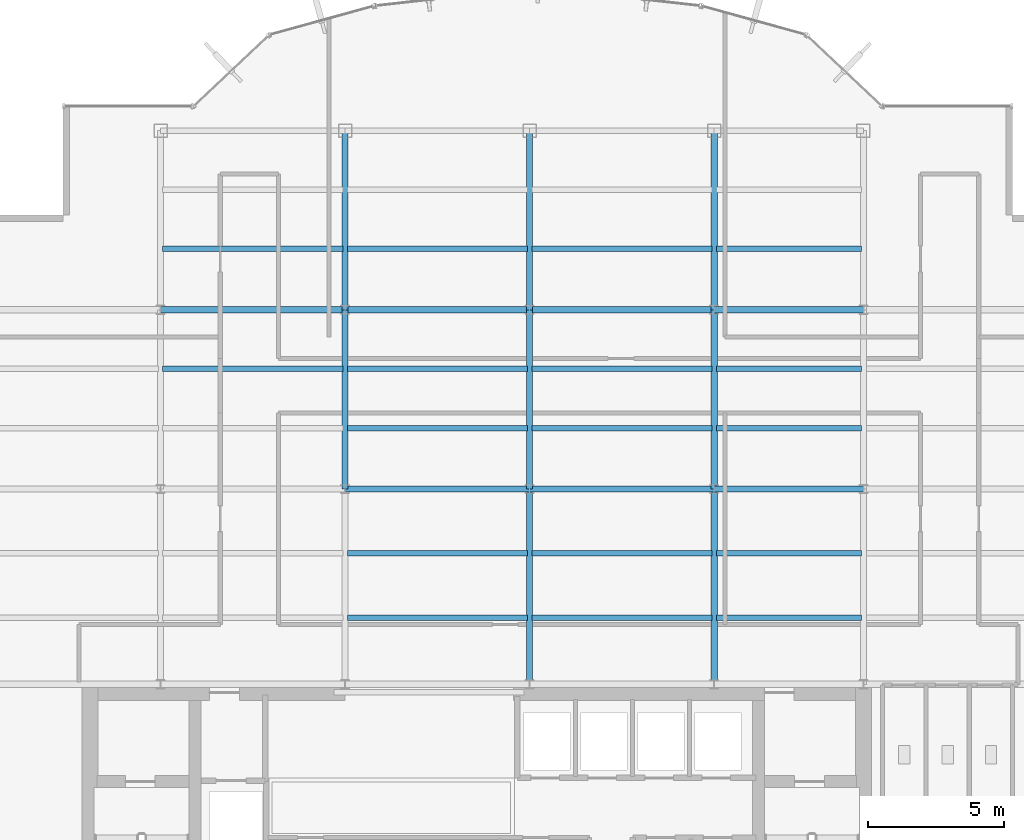
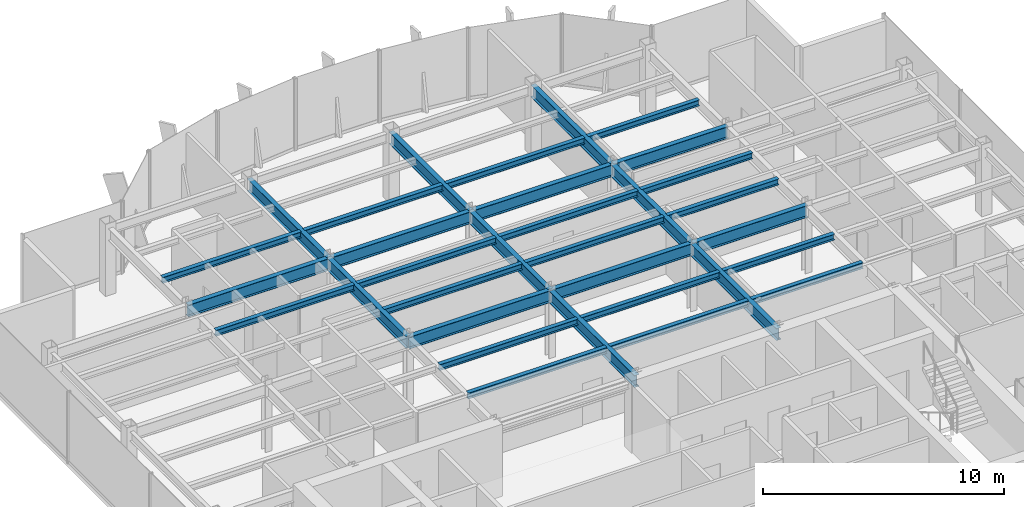
# One storey, part 8 of 22: 32 beams.
"""IFC4 building model written with IfcOpenShell, lengths in metres."""

from ifc_helpers import new_model, si_unit, derived_unit, direction, frame, origin, origin_2d, place, context, subcontext, project, spatial, i_section, extrude, source, transform, mapped, material, material_profile, profile_set, type_object, element, save


model = new_model("IFC4")

# Units and contexts
model_context = context("Model", 3, precision=1e-05, world=origin(), true_north=direction((0.0, 1.0)))
body_context = subcontext(model_context, "Body", "Model", "MODEL_VIEW")
ifc_project = project(units=[si_unit("LENGTHUNIT", "METRE"), si_unit("AREAUNIT", "SQUARE_METRE"), si_unit("VOLUMEUNIT", "CUBIC_METRE"), si_unit("PLANEANGLEUNIT", "RADIAN"), si_unit("MASSUNIT", "GRAM", prefix="KILO"), derived_unit("THERMALTRANSMITTANCEUNIT", [(si_unit("POWERUNIT", "WATT"), 1), (si_unit("LENGTHUNIT", "METRE"), -2), (si_unit("THERMODYNAMICTEMPERATUREUNIT", "KELVIN"), -1)])], contexts=[model_context])

# Site, building, storey
site_placement = place(None, origin())
site = spatial("IfcSite", under=ifc_project, at=site_placement, CompositionType="ELEMENT")
building_placement = place(site_placement, origin())
building = spatial("IfcBuilding", under=site, at=building_placement, Name="Skarnbrae Concourse Arena and Tower", CompositionType="ELEMENT")
storey_placement = place(building_placement, frame((0.0, 0.0, 244.199951171875)))
storey = spatial("IfcBuildingStorey", under=building, at=storey_placement, Name="L63", CompositionType="ELEMENT", Elevation=244.199951171875)

# Beams
ifc_material = material(Name="Steel CSA G40.21 350W", Category="steel")
ifc_material_profile_1 = material_profile(ifc_material, i_section(OverallWidth=0.22802734375, OverallDepth=0.60791015625, WebThickness=0.01123046875, FlangeThickness=0.017333984375, at=origin_2d()), Name="W610X113")
ifc_profile_set_1 = profile_set([ifc_material_profile_1], Name="Steel CSA G40.21 350W")
beam_type_1 = type_object("IfcBeamType", Name="BM-GIRD-W610X113", PredefinedType="BEAM", material=ifc_profile_set_1)
shared_shape_1 = source(origin(), body_context, "Body", "SweptSolid", [
    extrude(i_section(OverallWidth=0.22802734375, OverallDepth=0.60791015625, WebThickness=0.01123046875, FlangeThickness=0.017333984375, at=origin_2d()), origin(), (0.0, 0.0, 1.0), 6.60009765625),
])
for number, where, z_axis, x_axis, name in (
    (1, (14.39990234375, 21.199951171875, 3.095947265625), (0.0, 1.0, 0.0), (-1.0, 0.0, 0.0), "L63 Primary N-S girder X14.4-2"),
    (2, (21.199951171875, 21.199951171875, 3.095947265625), (0.0, 1.0, 0.0), (-1.0, 0.0, 0.0), "L63 Primary N-S girder X21.2-2"),
    (3, (28.0, 21.199951171875, 3.095947265625), (0.0, 1.0, 0.0), (-1.0, 0.0, 0.0), "L63 Primary N-S girder X28.0-2"),
):
    element("IfcBeam", number, at=place(storey_placement, frame(where, z_axis=z_axis, x_axis=x_axis)), inside=storey, type_object=beam_type_1, Name=name, PredefinedType="BEAM", context=body_context, shape_type="MappedRepresentation", body=[
        mapped(shared_shape_1, transform((0.0, 0.0, 0.0))),
    ])
shared_shape_2 = source(origin(), body_context, "Body", "SweptSolid", [
    extrude(i_section(OverallWidth=0.22802734375, OverallDepth=0.60791015625, WebThickness=0.01123046875, FlangeThickness=0.017333984375, at=origin_2d()), origin(), (0.0, 0.0, 1.0), 6.7998046875),
])
beam_placement = place(storey_placement, frame((7.60009765625, 27.800048828125, 3.095947265625), z_axis=(1.0, 0.0, 0.0), x_axis=(0.0, 1.0, 0.0)))
element("IfcBeam", 4, at=beam_placement, inside=storey, type_object=beam_type_1, Name="L63 Primary E-W girder Y27.8-2", PredefinedType="BEAM", context=body_context, shape_type="MappedRepresentation", body=[
    mapped(shared_shape_2, transform((0.0, 0.0, 0.0))),
])
shared_shape_3 = source(origin(), body_context, "Body", "SweptSolid", [
    extrude(i_section(OverallWidth=0.22802734375, OverallDepth=0.60791015625, WebThickness=0.01123046875, FlangeThickness=0.017333984375, at=origin_2d()), origin(), (0.0, 0.0, 1.0), 6.800048828125),
])
for number, where, z_axis, x_axis, name in (
    (5, (14.39990234375, 21.199951171875, 3.095947265625), (1.0, 0.0, 0.0), (0.0, 1.0, 0.0), "L63 Primary E-W girder Y21.2-3"),
    (6, (21.199951171875, 21.199951171875, 3.095947265625), (1.0, 0.0, 0.0), (0.0, 1.0, 0.0), "L63 Primary E-W girder Y21.2-4"),
    (7, (14.39990234375, 27.800048828125, 3.095947265625), (1.0, 0.0, 0.0), (0.0, 1.0, 0.0), "L63 Primary E-W girder Y27.8-3"),
    (8, (21.199951171875, 27.800048828125, 3.095947265625), (1.0, 0.0, 0.0), (0.0, 1.0, 0.0), "L63 Primary E-W girder Y27.8-4"),
):
    element("IfcBeam", number, at=place(storey_placement, frame(where, z_axis=z_axis, x_axis=x_axis)), inside=storey, type_object=beam_type_1, Name=name, PredefinedType="BEAM", context=body_context, shape_type="MappedRepresentation", body=[
        mapped(shared_shape_3, transform((0.0, 0.0, 0.0))),
    ])
shared_shape_4 = source(origin(), body_context, "Body", "SweptSolid", [
    extrude(i_section(OverallWidth=0.22802734375, OverallDepth=0.60791015625, WebThickness=0.01123046875, FlangeThickness=0.017333984375, at=origin_2d()), origin(), (0.0, 0.0, 1.0), 5.5),
])
for number, where, z_axis, x_axis, name in (
    (9, (28.0, 21.199951171875, 3.095947265625), (1.0, 0.0, 0.0), (0.0, 1.0, 0.0), "L63 Primary E-W girder Y21.2-5"),
    (10, (28.0, 27.800048828125, 3.095947265625), (1.0, 0.0, 0.0), (0.0, 1.0, 0.0), "L63 Primary E-W girder Y27.8-5"),
):
    element("IfcBeam", number, at=place(storey_placement, frame(where, z_axis=z_axis, x_axis=x_axis)), inside=storey, type_object=beam_type_1, Name=name, PredefinedType="BEAM", context=body_context, shape_type="MappedRepresentation", body=[
        mapped(shared_shape_4, transform((0.0, 0.0, 0.0))),
    ])
shared_shape_5 = source(origin(), body_context, "Body", "SweptSolid", [
    extrude(i_section(OverallWidth=0.22802734375, OverallDepth=0.60791015625, WebThickness=0.01123046875, FlangeThickness=0.017333984375, at=origin_2d()), origin(), (0.0, 0.0, 1.0), 7.199951171875),
])
for number, where, z_axis, x_axis, name in (
    (11, (21.199951171875, 14.0, 3.095947265625), (0.0, 1.0, 0.0), (-1.0, 0.0, 0.0), "L63 Primary N-S girder X21.2-1"),
    (12, (28.0, 14.0, 3.095947265625), (0.0, 1.0, 0.0), (-1.0, 0.0, 0.0), "L63 Primary N-S girder X28.0-1"),
):
    element("IfcBeam", number, at=place(storey_placement, frame(where, z_axis=z_axis, x_axis=x_axis)), inside=storey, type_object=beam_type_1, Name=name, PredefinedType="BEAM", context=body_context, shape_type="MappedRepresentation", body=[
        mapped(shared_shape_5, transform((0.0, 0.0, 0.0))),
    ])
shared_shape_6 = source(origin(), body_context, "Body", "SweptSolid", [
    extrude(i_section(OverallWidth=0.22802734375, OverallDepth=0.60791015625, WebThickness=0.01123046875, FlangeThickness=0.017333984375, at=origin_2d()), origin(), (0.0, 0.0, 1.0), 6.599853515625),
])
for number, where, z_axis, x_axis, name in (
    (13, (14.39990234375, 27.800048828125, 3.095947265625), (0.0, 1.0, 0.0), (-1.0, 0.0, 0.0), "L63 Primary N-S girder X14.4-3"),
    (14, (21.199951171875, 27.800048828125, 3.095947265625), (0.0, 1.0, 0.0), (-1.0, 0.0, 0.0), "L63 Primary N-S girder X21.2-3"),
    (15, (28.0, 27.800048828125, 3.095947265625), (0.0, 1.0, 0.0), (-1.0, 0.0, 0.0), "L63 Primary N-S girder X28.0-3"),
):
    element("IfcBeam", number, at=place(storey_placement, frame(where, z_axis=z_axis, x_axis=x_axis)), inside=storey, type_object=beam_type_1, Name=name, PredefinedType="BEAM", context=body_context, shape_type="MappedRepresentation", body=[
        mapped(shared_shape_6, transform((0.0, 0.0, 0.0))),
    ])
ifc_material_profile_2 = material_profile(ifc_material, i_section(OverallWidth=0.202880859375, OverallDepth=0.302978515625, WebThickness=0.007568359375, FlangeThickness=0.01318359375, at=origin_2d()), Name="W310X60")
ifc_profile_set_2 = profile_set([ifc_material_profile_2], Name="Steel CSA G40.21 350W")
beam_type_2 = type_object("IfcBeamType", Name="BM-JOIST-W310X60", PredefinedType="JOIST", material=ifc_profile_set_2)
shared_shape_7 = source(origin(), body_context, "Body", "SweptSolid", [
    extrude(i_section(OverallWidth=0.202880859375, OverallDepth=0.302978515625, WebThickness=0.007568359375, FlangeThickness=0.01318359375, at=origin_2d()), origin(), (0.0, 0.0, 1.0), 6.64013671875),
])
for number, where, z_axis, x_axis, name in (
    (16, (14.47998046875, 16.447998046875, 3.24853515625), (1.0, 0.0, 0.0), (0.0, 1.0, 0.0), "L63 Secondary floor joist 1.1.3"),
    (17, (14.47998046875, 18.823974609375, 3.24853515625), (1.0, 0.0, 0.0), (0.0, 1.0, 0.0), "L63 Secondary floor joist 1.2.3"),
    (18, (14.47998046875, 23.444091796875, 3.24853515625), (1.0, 0.0, 0.0), (0.0, 1.0, 0.0), "L63 Secondary floor joist 2.1.3"),
    (19, (7.679931640625, 25.6220703125, 3.24853515625), (1.0, 0.0, 0.0), (0.0, 1.0, 0.0), "L63 Secondary floor joist 2.2.2"),
    (20, (14.47998046875, 25.6220703125, 3.24853515625), (1.0, 0.0, 0.0), (0.0, 1.0, 0.0), "L63 Secondary floor joist 2.2.3"),
    (21, (7.679931640625, 30.0439453125, 3.24853515625), (1.0, 0.0, 0.0), (0.0, 1.0, 0.0), "L63 Secondary floor joist 3.1.1"),
    (22, (14.47998046875, 30.0439453125, 3.24853515625), (1.0, 0.0, 0.0), (0.0, 1.0, 0.0), "L63 Secondary floor joist 3.1.2"),
):
    element("IfcBeam", number, at=place(storey_placement, frame(where, z_axis=z_axis, x_axis=x_axis)), inside=storey, type_object=beam_type_2, Name=name, PredefinedType="JOIST", context=body_context, shape_type="MappedRepresentation", body=[
        mapped(shared_shape_7, transform((0.0, 0.0, 0.0))),
    ])
shared_shape_8 = source(origin(), body_context, "Body", "SweptSolid", [
    extrude(i_section(OverallWidth=0.202880859375, OverallDepth=0.302978515625, WebThickness=0.007568359375, FlangeThickness=0.01318359375, at=origin_2d()), origin(), (0.0, 0.0, 1.0), 6.639892578125),
])
for number, where, z_axis, x_axis, name in (
    (23, (21.280029296875, 16.447998046875, 3.24853515625), (1.0, 0.0, 0.0), (0.0, 1.0, 0.0), "L63 Secondary floor joist 1.1.4"),
    (24, (21.280029296875, 18.823974609375, 3.24853515625), (1.0, 0.0, 0.0), (0.0, 1.0, 0.0), "L63 Secondary floor joist 1.2.4"),
    (25, (21.280029296875, 23.444091796875, 3.24853515625), (1.0, 0.0, 0.0), (0.0, 1.0, 0.0), "L63 Secondary floor joist 2.1.4"),
    (26, (21.280029296875, 25.6220703125, 3.24853515625), (1.0, 0.0, 0.0), (0.0, 1.0, 0.0), "L63 Secondary floor joist 2.2.4"),
    (27, (21.280029296875, 30.0439453125, 3.24853515625), (1.0, 0.0, 0.0), (0.0, 1.0, 0.0), "L63 Secondary floor joist 3.1.3"),
):
    element("IfcBeam", number, at=place(storey_placement, frame(where, z_axis=z_axis, x_axis=x_axis)), inside=storey, type_object=beam_type_2, Name=name, PredefinedType="JOIST", context=body_context, shape_type="MappedRepresentation", body=[
        mapped(shared_shape_8, transform((0.0, 0.0, 0.0))),
    ])
shared_shape_9 = source(origin(), body_context, "Body", "SweptSolid", [
    extrude(i_section(OverallWidth=0.202880859375, OverallDepth=0.302978515625, WebThickness=0.007568359375, FlangeThickness=0.01318359375, at=origin_2d()), origin(), (0.0, 0.0, 1.0), 5.33984375),
])
for number, where, z_axis, x_axis, name in (
    (28, (28.080078125, 16.447998046875, 3.24853515625), (1.0, 0.0, 0.0), (0.0, 1.0, 0.0), "L63 Secondary floor joist 1.1.5"),
    (29, (28.080078125, 18.823974609375, 3.24853515625), (1.0, 0.0, 0.0), (0.0, 1.0, 0.0), "L63 Secondary floor joist 1.2.5"),
    (30, (28.080078125, 23.444091796875, 3.24853515625), (1.0, 0.0, 0.0), (0.0, 1.0, 0.0), "L63 Secondary floor joist 2.1.5"),
    (31, (28.080078125, 25.6220703125, 3.24853515625), (1.0, 0.0, 0.0), (0.0, 1.0, 0.0), "L63 Secondary floor joist 2.2.5"),
    (32, (28.080078125, 30.0439453125, 3.24853515625), (1.0, 0.0, 0.0), (0.0, 1.0, 0.0), "L63 Secondary floor joist 3.1.4"),
):
    element("IfcBeam", number, at=place(storey_placement, frame(where, z_axis=z_axis, x_axis=x_axis)), inside=storey, type_object=beam_type_2, Name=name, PredefinedType="JOIST", context=body_context, shape_type="MappedRepresentation", body=[
        mapped(shared_shape_9, transform((0.0, 0.0, 0.0))),
    ])

save(model, "model.ifc")
